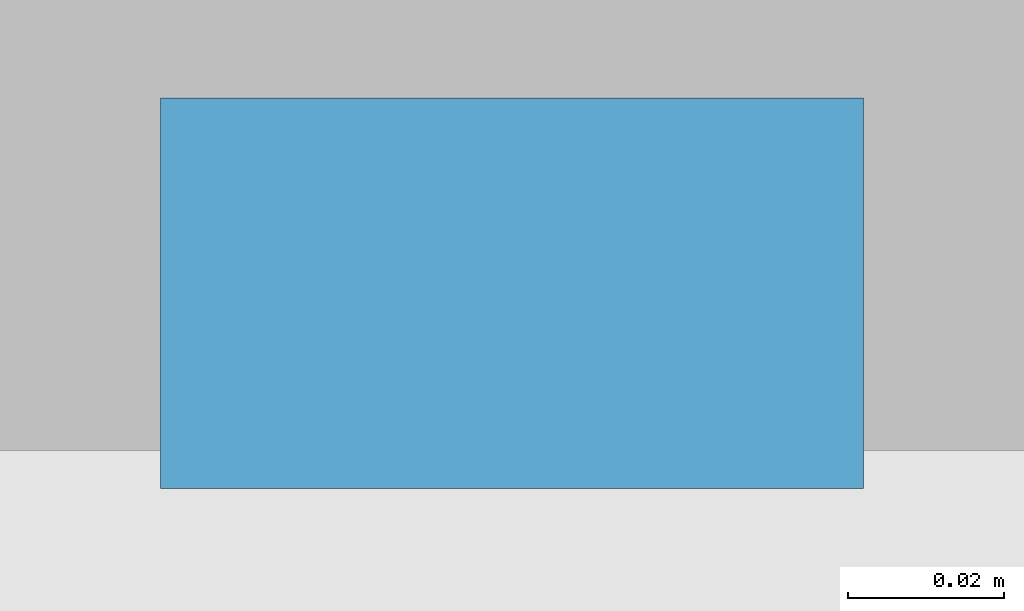
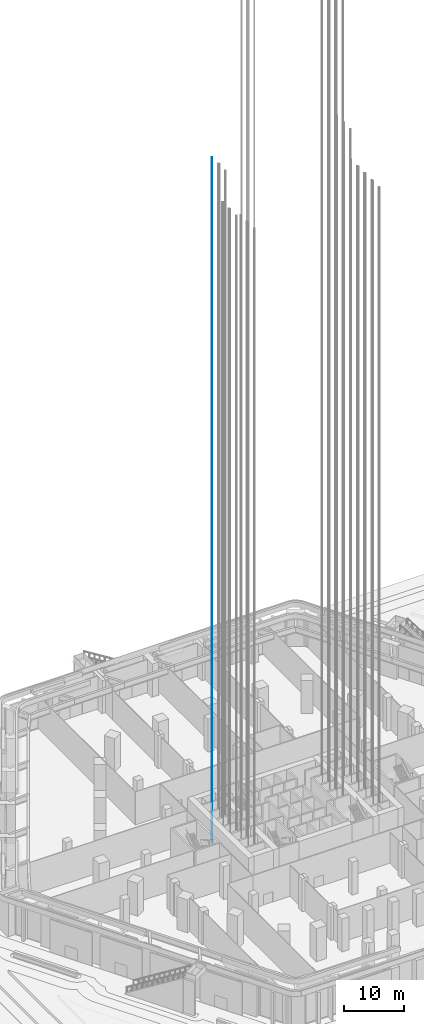
# One storey, part 38 of 68: 1 discrete accessory.
"""IFC4 building model written with IfcOpenShell, lengths in metres."""

from ifc_helpers import new_model, si_unit, direction, frame, origin, origin_2d, place, context, subcontext, project, spatial, rectangle, extrude, element, save


model = new_model("IFC4")

# Units and contexts
model_context = context("Model", 3, precision=1e-05, world=origin(), true_north=direction((0.0, 1.0)))
body_context = subcontext(model_context, "Body", "Model", "MODEL_VIEW")
ifc_project = project(units=[si_unit("LENGTHUNIT", "METRE"), si_unit("AREAUNIT", "SQUARE_METRE"), si_unit("VOLUMEUNIT", "CUBIC_METRE"), si_unit("PLANEANGLEUNIT", "RADIAN"), si_unit("MASSUNIT", "GRAM", prefix="KILO")], contexts=[model_context])

# Site, building, storey
site_placement = place(None, origin())
site = spatial("IfcSite", under=ifc_project, at=site_placement, CompositionType="ELEMENT")
building_placement = place(site_placement, origin())
building = spatial("IfcBuilding", under=site, at=building_placement, Name="Kolab Exchange Tower", CompositionType="ELEMENT")
storey_placement = place(building_placement, origin())
storey = spatial("IfcBuildingStorey", under=building, at=storey_placement, Name="L00", CompositionType="ELEMENT", Elevation=0.0)

# Discrete accessory
discrete_accessory_placement = place(storey_placement, frame((-12.0, 7.070068359375, -1.599853515625), z_axis=(0.0, 0.0, 1.0), x_axis=(1.0, 0.0, 0.0)))
element("IfcDiscreteAccessory", 1, at=discrete_accessory_placement, inside=storey, Name="Guide rail SH4-2", ObjectType="GUIDE RAIL", PredefinedType="USERDEFINED", context=body_context, shape_type="SweptSolid", body=[
    extrude(rectangle(XDim=0.090087890625, YDim=0.050048828125, at=origin_2d()), origin(), (0.0, 0.0, 1.0), 139.39990234375),
])

save(model, "model.ifc")
